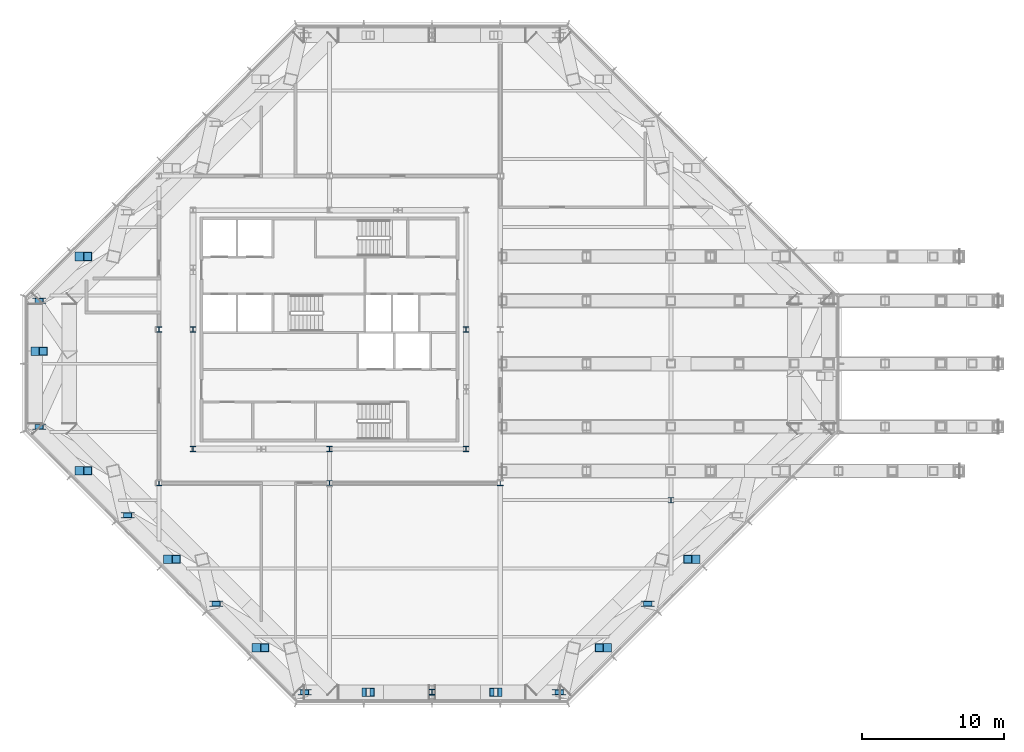
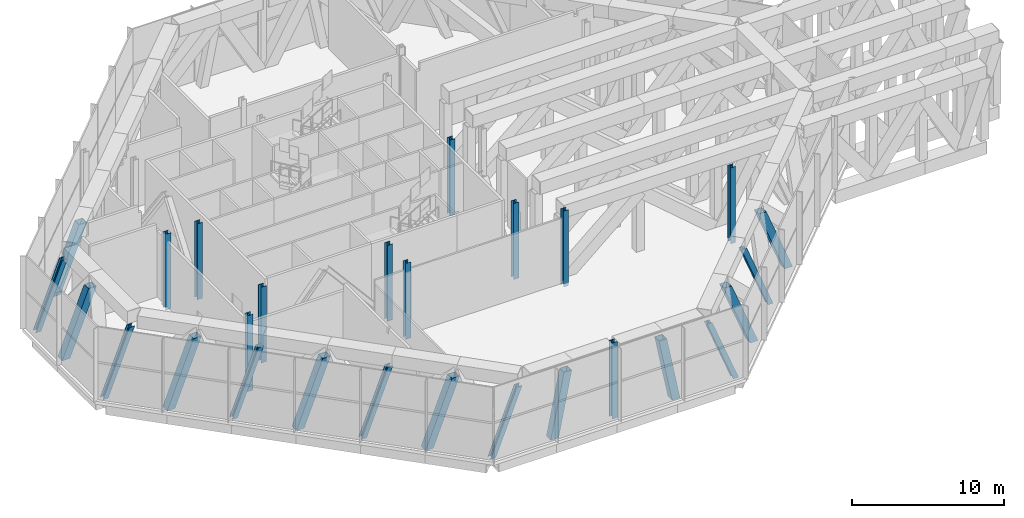
# One storey, part 1 of 18: 27 columns.
"""IFC4 building model written with IfcOpenShell, lengths in metres."""

import ifcopenshell
import ifcopenshell.guid

model = None  # the IFC model being written
_history = None  # IfcOwnerHistory: only IFC2X3 demands one
_inside = {}  # id of a spatial element -> (the spatial element, [elements in it])
_under = {}  # id of a project, library or spatial element -> (it, [spatial elements below it])
_declared = {}  # id of a project -> (the project, [libraries it declares])
_typed = {}  # id of a type object -> (the type object, [elements of that type])
_made_of = {}  # id of a material, layer set ... -> (it, [elements and type objects made of it])


def new_model(schema):
    """Start an empty IFC model of exactly this schema.

    Asked for "IFC4X3", IfcOpenShell would pick the latest addendum, in which some entities
    have other attributes; the version numbers below select the first issue.
    IFC2X3 requires an IfcOwnerHistory on every rooted entity: one is made here for all.
    """
    global model, _history
    if schema == "IFC4X3":
        model = ifcopenshell.file(schema_version=(4, 3, 0, 0))
    else:
        model = ifcopenshell.file(schema=schema)
    _inside.clear()
    _under.clear()
    _declared.clear()
    _typed.clear()
    _made_of.clear()
    _history = None
    if model.schema == "IFC2X3":
        org = make("IfcOrganization", Name="unknown")
        user = make(
            "IfcPersonAndOrganization",
            ThePerson=make("IfcPerson", FamilyName="unknown"),
            TheOrganization=org,
        )
        app = make(
            "IfcApplication",
            ApplicationDeveloper=org,
            Version="unknown",
            ApplicationFullName="unknown",
            ApplicationIdentifier="unknown",
        )
        _history = make(
            "IfcOwnerHistory",
            OwningUser=user,
            OwningApplication=app,
            ChangeAction="ADDED",
            CreationDate=0,
        )
    return model


def make(cls, **values):
    """One entity of the class cls with the attributes given. An attribute that is None is left unset."""
    return model.create_entity(
        cls, **{name: value for name, value in values.items() if value is not None}
    )


def rooted(cls, **values):
    """An entity with a GlobalId (a new one), such as an element, a storey or a relation."""
    return make(cls, GlobalId=ifcopenshell.guid.new(), OwnerHistory=_history, **values)


def si_unit(unit_type, name, prefix=None):
    """IfcSIUnit, for example si_unit("LENGTHUNIT", "METRE", prefix="MILLI")."""
    return make("IfcSIUnit", UnitType=unit_type, Prefix=prefix, Name=name)


def assignment(units):
    """IfcUnitAssignment: the units of a project."""
    return None if units is None else make("IfcUnitAssignment", Units=units)


def point(xyz):
    """IfcCartesianPoint."""
    return None if xyz is None else make("IfcCartesianPoint", Coordinates=xyz)


def direction(xyz):
    """IfcDirection."""
    return None if xyz is None else make("IfcDirection", DirectionRatios=xyz)


def frame(location, z_axis=None, x_axis=None):
    """IfcAxis2Placement3D, a coordinate frame: its origin and axes. An axis left out is left unset."""
    return make(
        "IfcAxis2Placement3D",
        Location=point(location),
        Axis=direction(z_axis),
        RefDirection=direction(x_axis),
    )


def frame_2d(location, x_axis=None):
    """IfcAxis2Placement2D, a coordinate frame in the plane: its origin and x axis."""
    return make(
        "IfcAxis2Placement2D", Location=point(location), RefDirection=direction(x_axis)
    )


def origin():
    """The frame at (0, 0, 0) with its axes left unset."""
    return frame((0.0, 0.0, 0.0))


def origin_2d():
    """The frame at (0, 0) in the plane with its x axis left unset."""
    return frame_2d((0.0, 0.0))


def place(relative_to, where):
    """IfcLocalPlacement: puts the frame where relative to a parent placement (None: the world)."""
    return make(
        "IfcLocalPlacement", PlacementRelTo=relative_to, RelativePlacement=where
    )


def context(
    kind, dimensions, precision=None, world=None, true_north=None, identifier=None
):
    """IfcGeometricRepresentationContext, for example the 3D "Model" context."""
    return make(
        "IfcGeometricRepresentationContext",
        ContextIdentifier=identifier,
        ContextType=kind,
        CoordinateSpaceDimension=dimensions,
        Precision=precision,
        WorldCoordinateSystem=world,
        TrueNorth=true_north,
    )


def subcontext(parent, identifier, kind, view, scale=None):
    """IfcGeometricRepresentationSubContext, for example "Body" below "Model"."""
    return make(
        "IfcGeometricRepresentationSubContext",
        ContextIdentifier=identifier,
        ContextType=kind,
        ParentContext=parent,
        TargetScale=scale,
        TargetView=view,
    )


def project(units=None, contexts=None):
    """IfcProject with its units and contexts."""
    return rooted(
        "IfcProject",
        Name="project",
        RepresentationContexts=contexts,
        UnitsInContext=assignment(units),
    )


def spatial(cls, under=None, at=None, **own):
    """A site, building, storey or space (cls), placed at a placement, below another one or the project."""
    s = rooted(cls, ObjectPlacement=at, **own)
    if under is not None:
        _under.setdefault(under.id(), (under, []))[1].append(s)
    return s


def profile(cls, at=None, kind="AREA", **sizes):
    """A parametric profile (cls). Its sizes go by their IFC names, for example OverallWidth=200.0."""
    return make(cls, ProfileType=kind, Position=at, **sizes)


def hollow_rectangle(**sizes):
    """IfcRectangleHollowProfileDef."""
    return profile("IfcRectangleHollowProfileDef", **sizes)


def i_section(**sizes):
    """IfcIShapeProfileDef."""
    return profile("IfcIShapeProfileDef", **sizes)


def extrude(swept, where, along, depth):
    """IfcExtrudedAreaSolid: the profile swept, set in the frame where, extruded along a direction by depth."""
    return make(
        "IfcExtrudedAreaSolid",
        SweptArea=swept,
        Position=where,
        ExtrudedDirection=direction(along),
        Depth=depth,
    )


def clip(a, b, op="DIFFERENCE"):
    """IfcBooleanClippingResult: the solid a cut by the half space b."""
    return make(
        "IfcBooleanClippingResult", Operator=op, FirstOperand=a, SecondOperand=b
    )


def halfspace(plane, agree):
    """IfcHalfSpaceSolid: all space on one side of the plane z = 0 of the frame plane."""
    return make(
        "IfcHalfSpaceSolid",
        BaseSurface=make("IfcPlane", Position=plane),
        AgreementFlag=agree,
    )


def shape(context_of_items, identifier, shape_type, items):
    """IfcShapeRepresentation: the items that make up one representation, for example the "Body"."""
    return make(
        "IfcShapeRepresentation",
        ContextOfItems=context_of_items,
        RepresentationIdentifier=identifier,
        RepresentationType=shape_type,
        Items=items,
    )


def material(Name=None, Category=None):
    """IfcMaterial."""
    return make("IfcMaterial", Name=Name, Category=Category)


def material_profile(
    of_material, cross_section, Name=None, Category=None, Priority=None
):
    """IfcMaterialProfile: a cross section and its material."""
    return make(
        "IfcMaterialProfile",
        Name=Name,
        Material=of_material,
        Profile=cross_section,
        Priority=Priority,
        Category=Category,
    )


def profile_set(profiles, Name=None, composite=None):
    """IfcMaterialProfileSet."""
    return make(
        "IfcMaterialProfileSet",
        Name=Name,
        MaterialProfiles=profiles,
        CompositeProfile=composite,
    )


def made_of(thing, what):
    """Note that an element or type object is made of a material, layer set ...; save() writes the relation."""
    if what is not None:
        _made_of.setdefault(what.id(), (what, []))[1].append(thing)
    return thing


def type_object(cls, material=None, **own):
    """A type object (cls), such as IfcWallType, which elements share."""
    return made_of(rooted(cls, **own), material)


def element(
    cls,
    number,
    at=None,
    inside=None,
    cuts=None,
    type_object=None,
    material=None,
    context=None,
    identifier="Body",
    shape_type=None,
    held_by="IfcProductDefinitionShape",
    body=None,
    shapes=None,
    **own,
):
    """One element of the class cls, such as IfcWall. Its Tag is "e" and its number.

    at: its placement. inside: the storey or other place that contains it. cuts: it is an
    opening in that element (IfcRelVoidsElement). A single representation is given by context,
    identifier, shape_type and body (its items); several are given by shapes. held_by: the class
    of the entity that holds the representations. save() writes the other relations.
    """
    e = rooted(cls, Tag="e%d" % number, ObjectPlacement=at, **own)
    if body is not None:
        shapes = [shape(context, identifier, shape_type, body)]
    if shapes is not None:
        e.Representation = make(held_by, Representations=shapes)
    if inside is not None:
        _inside.setdefault(inside.id(), (inside, []))[1].append(e)
    if cuts is not None:
        rooted(
            "IfcRelVoidsElement", RelatingBuildingElement=cuts, RelatedOpeningElement=e
        )
    if type_object is not None:
        _typed.setdefault(type_object.id(), (type_object, []))[1].append(e)
    return made_of(e, material)


def aggregate(whole, parts):
    """IfcRelAggregates: a whole, such as a stair, and the parts it consists of."""
    return rooted("IfcRelAggregates", RelatingObject=whole, RelatedObjects=parts)


def save(model, path):
    """Write the relations noted so far, then the file.

    IfcRelAggregates (storeys below a building ...), IfcRelContainedInSpatialStructure (elements
    in a storey), IfcRelDefinesByType, IfcRelAssociatesMaterial and IfcRelDeclares: one each for
    every whole, place, type object, material and project.
    """
    for whole, parts in _under.values():
        aggregate(whole, parts)
    for where, things in _inside.values():
        rooted(
            "IfcRelContainedInSpatialStructure",
            RelatedElements=things,
            RelatingStructure=where,
        )
    for kind, things in _typed.values():
        rooted("IfcRelDefinesByType", RelatedObjects=things, RelatingType=kind)
    for what, things in _made_of.values():
        rooted("IfcRelAssociatesMaterial", RelatedObjects=things, RelatingMaterial=what)
    for by, libraries in _declared.values():
        rooted("IfcRelDeclares", RelatingContext=by, RelatedDefinitions=libraries)
    model.write(path)


model = new_model("IFC4")

# Units and contexts
model_context = context("Model", 3, precision=1e-05, world=origin(), true_north=direction((0.0, 1.0)))
body_context = subcontext(model_context, "Body", "Model", "MODEL_VIEW")
ifc_project = project(units=[si_unit("LENGTHUNIT", "METRE"), si_unit("AREAUNIT", "SQUARE_METRE"), si_unit("VOLUMEUNIT", "CUBIC_METRE"), si_unit("PLANEANGLEUNIT", "RADIAN"), si_unit("MASSUNIT", "GRAM", prefix="KILO")], contexts=[model_context])

# Site, building, storey
site_placement = place(None, origin())
site = spatial("IfcSite", under=ifc_project, at=site_placement, CompositionType="ELEMENT")
building_placement = place(site_placement, origin())
building = spatial("IfcBuilding", under=site, at=building_placement, Name="Cairn Pilgrim Tower", CompositionType="ELEMENT")
storey_placement = place(building_placement, frame((0.0, 0.0, 261.0)))
storey = spatial("IfcBuildingStorey", under=building, at=storey_placement, Name="L67", CompositionType="ELEMENT", Elevation=261.0)

# Columns
ifc_material_1 = material(Name="Structural steel S460M", Category="steel")
ifc_material_profile_1 = material_profile(ifc_material_1, hollow_rectangle(XDim=0.60009765625, YDim=0.60009765625, WallThickness=0.034912109375, at=origin_2d()), Name="BOX 600x600x35")
ifc_profile_set_1 = profile_set([ifc_material_profile_1], Name="Structural steel S460M")
column_type_1 = type_object("IfcColumnType", Name="BOX 600x600x35 POST", PredefinedType="USERDEFINED", material=ifc_profile_set_1)
column_1_placement = place(storey_placement, frame((9.786376953125, -23.10009765625, -0.25), z_axis=(0.0, 0.0, 1.0), x_axis=(1.0, 0.0, 0.0)))
element("IfcColumn", 1, at=column_1_placement, inside=storey, type_object=column_type_1, Name="BT67-S-P2", ObjectType="POST", PredefinedType="USERDEFINED", context=body_context, shape_type="Clipping", body=[
    clip(extrude(hollow_rectangle(XDim=0.60009765625, YDim=0.60009765625, WallThickness=0.034912109375, at=origin_2d()), origin(), (0.193011323973, 0.0, 0.981196529151), 6.217041015625), halfspace(frame((0.0, 0.0, 5.10009765625), z_axis=(0.0, 0.0, 1.0), x_axis=(1.0, 0.0, 0.0)), False)),
])
column_2_placement = place(storey_placement, frame((19.013671875, -23.10009765625, -0.25), z_axis=(0.0, 0.0, 1.0), x_axis=(1.0, 0.0, 0.0)))
element("IfcColumn", 2, at=column_2_placement, inside=storey, type_object=column_type_1, Name="BT67-S-P4", ObjectType="POST", PredefinedType="USERDEFINED", context=body_context, shape_type="Clipping", body=[
    clip(extrude(hollow_rectangle(XDim=0.60009765625, YDim=0.60009765625, WallThickness=0.034912109375, at=origin_2d()), origin(), (-0.193011323973, 0.0, 0.981196529151), 6.217041015625), halfspace(frame((0.0, 0.0, 5.10009765625), z_axis=(0.0, 0.0, 1.0), x_axis=(1.0, 0.0, 0.0)), False)),
])
for number, where, z_axis, x_axis, name in (
    (3, (26.7392578125, -19.98779296875, -0.25), (0.0, 0.0, 1.0), (1.0, 0.0, 0.0), "BT67-SE-P2"),
    (4, (32.963623046875, -13.763671875, -0.25), (0.0, 0.0, 1.0), (1.0, 0.0, 0.0), "BT67-SE-P4"),
):
    element("IfcColumn", number, at=place(storey_placement, frame(where, z_axis=z_axis, x_axis=x_axis)), inside=storey, type_object=column_type_1, Name=name, ObjectType="POST", PredefinedType="USERDEFINED", context=body_context, shape_type="Clipping", body=[
        clip(extrude(hollow_rectangle(XDim=0.60009765625, YDim=0.60009765625, WallThickness=0.034912109375, at=origin_2d()), origin(), (-0.366106332628, 0.0, 0.930573024115), 6.55517578125), halfspace(frame((0.0, 0.0, 5.10009765625), z_axis=(0.0, 0.0, 1.0), x_axis=(1.0, 0.0, 0.0)), False)),
    ])
column_3_placement = place(storey_placement, frame((-10.387939453125, 7.539306640625, -0.25), z_axis=(0.0, 0.0, 1.0), x_axis=(1.0, 0.0, 0.0)))
element("IfcColumn", 5, at=column_3_placement, inside=storey, type_object=column_type_1, Name="BT67-NW-P6", ObjectType="POST", PredefinedType="USERDEFINED", context=body_context, shape_type="Clipping", body=[
    clip(extrude(hollow_rectangle(XDim=0.60009765625, YDim=0.60009765625, WallThickness=0.034912109375, at=origin_2d()), origin(), (0.366138583819, 0.0, 0.930560335195), 6.55517578125), halfspace(frame((0.0, 0.0, 5.10009765625), z_axis=(0.0, 0.0, 1.0), x_axis=(1.0, 0.0, 0.0)), False)),
])
column_4_placement = place(storey_placement, frame((-13.5, 0.885498046875, -0.25), z_axis=(0.0, 0.0, 1.0), x_axis=(1.0, 0.0, 0.0)))
element("IfcColumn", 6, at=column_4_placement, inside=storey, type_object=column_type_1, Name="BT67-W-P2", ObjectType="POST", PredefinedType="USERDEFINED", context=body_context, shape_type="Clipping", body=[
    clip(extrude(hollow_rectangle(XDim=0.60009765625, YDim=0.60009765625, WallThickness=0.034912109375, at=origin_2d()), origin(), (0.366106332628, 0.0, 0.930573024115), 6.55517578125), halfspace(frame((0.0, 0.0, 5.10009765625), z_axis=(0.0, 0.0, 1.0), x_axis=(1.0, 0.0, 0.0)), False)),
])
column_5_placement = place(storey_placement, frame((-10.387939453125, -7.539306640625, -0.25), z_axis=(0.0, 0.0, 1.0), x_axis=(1.0, 0.0, 0.0)))
element("IfcColumn", 7, at=column_5_placement, inside=storey, type_object=column_type_1, Name="BT67-SW-P2", ObjectType="POST", PredefinedType="USERDEFINED", context=body_context, shape_type="Clipping", body=[
    clip(extrude(hollow_rectangle(XDim=0.60009765625, YDim=0.60009765625, WallThickness=0.034912109375, at=origin_2d()), origin(), (0.366138583819, 0.0, 0.930560335195), 6.55517578125), halfspace(frame((0.0, 0.0, 5.10009765625), z_axis=(0.0, 0.0, 1.0), x_axis=(1.0, 0.0, 0.0)), False)),
])
for number, where, z_axis, x_axis, name in (
    (8, (-4.16357421875, -13.763671875, -0.25), (0.0, 0.0, 1.0), (1.0, 0.0, 0.0), "BT67-SW-P4"),
    (9, (2.060791015625, -19.98779296875, -0.25), (0.0, 0.0, 1.0), (1.0, 0.0, 0.0), "BT67-SW-P6"),
):
    element("IfcColumn", number, at=place(storey_placement, frame(where, z_axis=z_axis, x_axis=x_axis)), inside=storey, type_object=column_type_1, Name=name, ObjectType="POST", PredefinedType="USERDEFINED", context=body_context, shape_type="Clipping", body=[
        clip(extrude(hollow_rectangle(XDim=0.60009765625, YDim=0.60009765625, WallThickness=0.034912109375, at=origin_2d()), origin(), (0.366106332628, 0.0, 0.930573024115), 6.55517578125), halfspace(frame((0.0, 0.0, 5.10009765625), z_axis=(0.0, 0.0, 1.0), x_axis=(1.0, 0.0, 0.0)), False)),
    ])
ifc_material_2 = material(Name="Structural steel S355J2", Category="steel")
ifc_material_profile_2 = material_profile(ifc_material_2, i_section(OverallWidth=0.39404296875, OverallDepth=0.375, WebThickness=0.017333984375, FlangeThickness=0.027587890625, FilletRadius=0.014892578125, at=origin_2d()), Name="HD 400x216")
ifc_profile_set_2 = profile_set([ifc_material_profile_2], Name="Structural steel S355J2")
column_type_2 = type_object("IfcColumnType", Name="HD 400x216", PredefinedType="COLUMN", material=ifc_profile_set_2)
for number, where, z_axis, x_axis, name in (
    (10, (-4.800048828125, -8.39990234375, -0.25), (0.0, 0.0, 1.0), (1.0, 0.0, 0.0), "IC-1"),
    (11, (7.199951171875, -8.39990234375, -0.25), (0.0, 0.0, 1.0), (1.0, 0.0, 0.0), "IC-2"),
    (12, (19.199951171875, -8.39990234375, -0.25), (0.0, 0.0, 1.0), (1.0, 0.0, 0.0), "IC-3"),
    (13, (-4.800048828125, 2.39990234375, -0.25), (0.0, 0.0, 1.0), (1.0, 0.0, 0.0), "IC-4"),
    (14, (31.199951171875, -9.60009765625, -0.25), (0.0, 0.0, 1.0), (1.0, 0.0, 0.0), "WC-WE-2"),
):
    element("IfcColumn", number, at=place(storey_placement, frame(where, z_axis=z_axis, x_axis=x_axis)), inside=storey, type_object=column_type_2, Name=name, PredefinedType="COLUMN", context=body_context, shape_type="SweptSolid", body=[
        extrude(i_section(OverallWidth=0.39404296875, OverallDepth=0.375, WebThickness=0.017333984375, FlangeThickness=0.027587890625, FilletRadius=0.014892578125, at=origin_2d()), origin(), (0.0, 0.0, 1.0), 6.10009765625),
    ])
ifc_material_profile_3 = material_profile(ifc_material_2, i_section(OverallWidth=0.39794921875, OverallDepth=0.386962890625, WebThickness=0.02099609375, FlangeThickness=0.033203125, FilletRadius=0.014892578125, at=origin_2d()), Name="HD 400x262")
ifc_profile_set_3 = profile_set([ifc_material_profile_3], Name="Structural steel S355J2")
column_type_3 = type_object("IfcColumnType", Name="HD 400x262", PredefinedType="COLUMN", material=ifc_profile_set_3)
for number, where, z_axis, x_axis, name in (
    (15, (-2.39990234375, -6.0, -0.25), (0.0, 0.0, 1.0), (1.0, 0.0, 0.0), "KC-1"),
    (16, (7.199951171875, -6.0, -0.25), (0.0, 0.0, 1.0), (1.0, 0.0, 0.0), "KC-2"),
    (17, (16.800048828125, -6.0, -0.25), (0.0, 0.0, 1.0), (1.0, 0.0, 0.0), "KC-3"),
    (18, (-2.39990234375, 2.39990234375, -0.25), (0.0, 0.0, 1.0), (1.0, 0.0, 0.0), "KC-4"),
    (19, (16.800048828125, 2.39990234375, -0.25), (0.0, 0.0, 1.0), (1.0, 0.0, 0.0), "KC-5"),
):
    element("IfcColumn", number, at=place(storey_placement, frame(where, z_axis=z_axis, x_axis=x_axis)), inside=storey, type_object=column_type_3, Name=name, PredefinedType="COLUMN", context=body_context, shape_type="SweptSolid", body=[
        extrude(i_section(OverallWidth=0.39794921875, OverallDepth=0.386962890625, WebThickness=0.02099609375, FlangeThickness=0.033203125, FilletRadius=0.014892578125, at=origin_2d()), origin(), (0.0, 0.0, 1.0), 6.10009765625),
    ])
ifc_material_profile_4 = material_profile(ifc_material_2, i_section(OverallWidth=0.39892578125, OverallDepth=0.39306640625, WebThickness=0.022705078125, FlangeThickness=0.03662109375, FilletRadius=0.014892578125, at=origin_2d()), Name="HD 400x287")
ifc_profile_set_4 = profile_set([ifc_material_profile_4], Name="Structural steel S355J2")
column_type_4 = type_object("IfcColumnType", Name="HD 400x287 POST", PredefinedType="USERDEFINED", material=ifc_profile_set_4)
column_6_placement = place(storey_placement, frame((5.1728515625, -23.10009765625, -0.25), z_axis=(0.0, 0.0, 1.0), x_axis=(1.0, 0.0, 0.0)))
element("IfcColumn", 20, at=column_6_placement, inside=storey, type_object=column_type_4, Name="BT67-S-P1", ObjectType="POST", PredefinedType="USERDEFINED", context=body_context, shape_type="Clipping", body=[
    clip(extrude(i_section(OverallWidth=0.39892578125, OverallDepth=0.39306640625, WebThickness=0.022705078125, FlangeThickness=0.03662109375, FilletRadius=0.014892578125, at=origin_2d()), origin(), (0.366106332628, 0.0, 0.930573024115), 6.55517578125), halfspace(frame((0.0, 0.0, 5.10009765625), z_axis=(0.0, 0.0, 1.0), x_axis=(1.0, 0.0, 0.0)), False)),
])
column_7_placement = place(storey_placement, frame((14.39990234375, -23.10009765625, -0.25), z_axis=(0.0, 0.0, 1.0), x_axis=(1.0, 0.0, 0.0)))
element("IfcColumn", 21, at=column_7_placement, inside=storey, type_object=column_type_4, Name="BT67-S-P3", ObjectType="POST", PredefinedType="USERDEFINED", context=body_context, shape_type="SweptSolid", body=[
    extrude(i_section(OverallWidth=0.39892578125, OverallDepth=0.39306640625, WebThickness=0.022705078125, FlangeThickness=0.03662109375, FilletRadius=0.014892578125, at=origin_2d()), origin(), (0.0, 0.0, 1.0), 6.10009765625),
])
column_8_placement = place(storey_placement, frame((23.627197265625, -23.10009765625, -0.25), z_axis=(0.0, 0.0, 1.0), x_axis=(1.0, 0.0, 0.0)))
element("IfcColumn", 22, at=column_8_placement, inside=storey, type_object=column_type_4, Name="BT67-SE-P1", ObjectType="POST", PredefinedType="USERDEFINED", context=body_context, shape_type="Clipping", body=[
    clip(extrude(i_section(OverallWidth=0.39892578125, OverallDepth=0.39306640625, WebThickness=0.022705078125, FlangeThickness=0.03662109375, FilletRadius=0.014892578125, at=origin_2d()), origin(), (-0.366106332628, 0.0, 0.930573024115), 6.55517578125), halfspace(frame((0.0, 0.0, 5.10009765625), z_axis=(0.0, 0.0, 1.0), x_axis=(1.0, 0.0, 0.0)), False)),
])
column_9_placement = place(storey_placement, frame((29.8515625, -16.875732421875, -0.25), z_axis=(0.0, 0.0, 1.0), x_axis=(1.0, 0.0, 0.0)))
element("IfcColumn", 23, at=column_9_placement, inside=storey, type_object=column_type_4, Name="BT67-SE-P3", ObjectType="POST", PredefinedType="USERDEFINED", context=body_context, shape_type="Clipping", body=[
    clip(extrude(i_section(OverallWidth=0.39892578125, OverallDepth=0.39306640625, WebThickness=0.022705078125, FlangeThickness=0.03662109375, FilletRadius=0.014892578125, at=origin_2d()), origin(), (-0.366138583819, 0.0, 0.930560335195), 6.55517578125), halfspace(frame((0.0, 0.0, 5.10009765625), z_axis=(0.0, 0.0, 1.0), x_axis=(1.0, 0.0, 0.0)), False)),
])
for number, where, z_axis, x_axis, name in (
    (24, (-13.5, 4.42724609375, -0.25), (0.0, 0.0, 1.0), (1.0, 0.0, 0.0), "BT67-W-P1"),
    (25, (-13.5, -4.42724609375, -0.25), (0.0, 0.0, 1.0), (1.0, 0.0, 0.0), "BT67-SW-P1"),
    (26, (-7.275634765625, -10.651611328125, -0.25), (0.0, 0.0, 1.0), (1.0, 0.0, 0.0), "BT67-SW-P3"),
    (27, (-1.051513671875, -16.875732421875, -0.25), (0.0, 0.0, 1.0), (1.0, 0.0, 0.0), "BT67-SW-P5"),
):
    element("IfcColumn", number, at=place(storey_placement, frame(where, z_axis=z_axis, x_axis=x_axis)), inside=storey, type_object=column_type_4, Name=name, ObjectType="POST", PredefinedType="USERDEFINED", context=body_context, shape_type="Clipping", body=[
        clip(extrude(i_section(OverallWidth=0.39892578125, OverallDepth=0.39306640625, WebThickness=0.022705078125, FlangeThickness=0.03662109375, FilletRadius=0.014892578125, at=origin_2d()), origin(), (0.366106332628, 0.0, 0.930573024115), 6.55517578125), halfspace(frame((0.0, 0.0, 5.10009765625), z_axis=(0.0, 0.0, 1.0), x_axis=(1.0, 0.0, 0.0)), False)),
    ])

save(model, "model.ifc")
